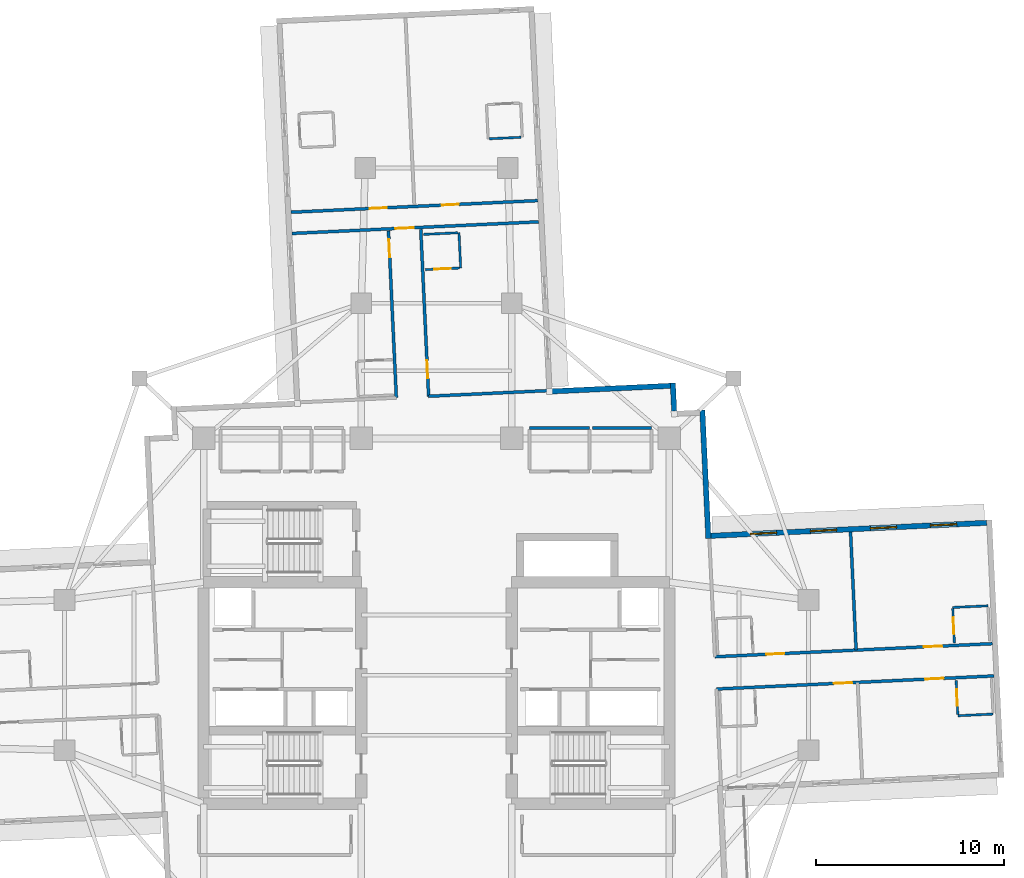
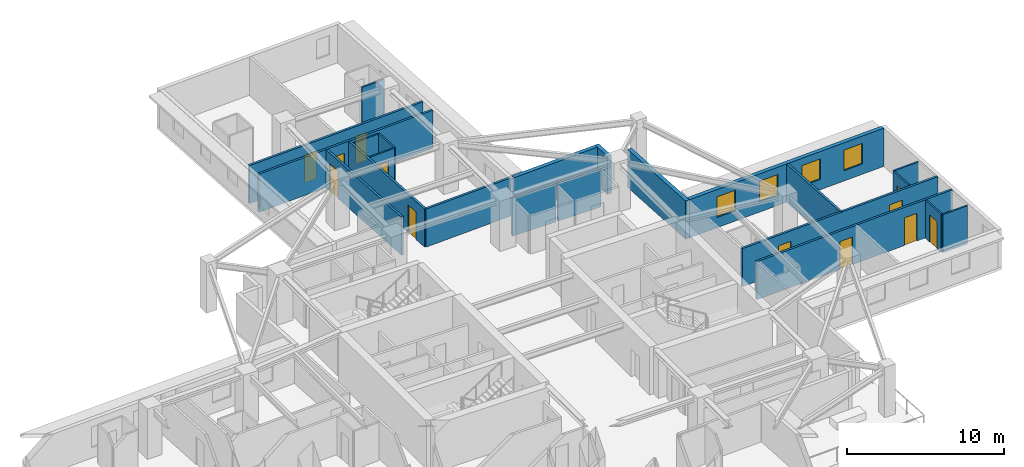
# One storey, part 8 of 14: 22 walls, 12 doors, 4 windows, 16 openings.
"""IFC4 building model written with IfcOpenShell, lengths in metres."""

from ifc_helpers import new_model, si_unit, direction, frame, frame_2d, origin, place, context, subcontext, project, spatial, rectangle, extrude, material, layer, layer_set, type_object, element, fill, save


model = new_model("IFC4")

# Units and contexts
model_context = context("Model", 3, precision=1e-05, world=origin(), true_north=direction((0.0, 1.0)))
body_context = subcontext(model_context, "Body", "Model", "MODEL_VIEW")
ifc_project = project(units=[si_unit("LENGTHUNIT", "METRE"), si_unit("AREAUNIT", "SQUARE_METRE"), si_unit("VOLUMEUNIT", "CUBIC_METRE"), si_unit("PLANEANGLEUNIT", "RADIAN"), si_unit("MASSUNIT", "GRAM", prefix="KILO")], contexts=[model_context])

# Site, building, storey
site_placement = place(None, origin())
site = spatial("IfcSite", under=ifc_project, at=site_placement, CompositionType="ELEMENT")
building_placement = place(site_placement, origin())
building = spatial("IfcBuilding", under=site, at=building_placement, Name="Qingluan Cross Belvedere", CompositionType="ELEMENT")
storey_placement = place(building_placement, frame((0.0, 0.0, 116.39990234375)))
storey = spatial("IfcBuildingStorey", under=building, at=storey_placement, Name="L29", CompositionType="ELEMENT", Elevation=116.39990234375)

# Walls
ifc_material_1 = material(Name="Gypsum plasterboard on steel stud acoustic partition", Category="steel")
ifc_layer_1 = layer(ifc_material_1, 0.159912109375, Name="CorridorPartition_160")
ifc_layer_set_1 = layer_set([ifc_layer_1], Name="Gypsum plasterboard on steel stud acoustic partition")
wall_type_1 = type_object("IfcWallType", Name="CorridorPartition_160", PredefinedType="PARTITIONING", material=ifc_layer_set_1)
wall_1_placement = place(storey_placement, frame((4.949951171875, 13.14990234375, 0.0), z_axis=(0.0, 0.0, 1.0), x_axis=(1.0, 0.0, 0.0)))
element("IfcWall", 1, at=wall_1_placement, inside=storey, type_object=wall_type_1, Name="Partition L29:q_ne1:N", PredefinedType="PARTITIONING", context=body_context, shape_type="SweptSolid", body=[
    extrude(rectangle(XDim=3.199951171875, YDim=0.159912109375, at=frame_2d((1.60009765625, 0.0))), origin(), (0.0, 0.0, 1.0), 2.960205078125),
])
wall_2_placement = place(storey_placement, frame((8.31005859375, 13.14990234375, 0.0), z_axis=(0.0, 0.0, 1.0), x_axis=(1.0, 0.0, 0.0)))
element("IfcWall", 2, at=wall_2_placement, inside=storey, type_object=wall_type_1, Name="Partition L29:q_ne2:N", PredefinedType="PARTITIONING", context=body_context, shape_type="SweptSolid", body=[
    extrude(rectangle(XDim=3.139892578125, YDim=0.159912109375, at=frame_2d((1.56982421875, 0.0))), origin(), (0.0, 0.0, 1.0), 2.960205078125),
])

# Wall, openings, doors
wall_3_placement = place(storey_placement, frame((14.8203125, 0.979248046875, 0.0), z_axis=(0.0, 0.0, 1.0), x_axis=(0.99889000272, 0.04710374153, 0.0)))
wall_3 = element("IfcWall", 3, at=wall_3_placement, inside=storey, type_object=wall_type_1, Name="Partition L29:E:c0", PredefinedType="PARTITIONING", context=body_context, shape_type="SweptSolid", body=[
    extrude(rectangle(XDim=14.781982421875, YDim=0.159912109375, at=frame_2d((7.39111328125, 0.0))), origin(), (0.0, 0.0, 1.0), 2.960205078125),
])
opening_1_placement = place(wall_3_placement, frame((2.73291015625, 0.0, 0.0)))
opening_1 = element("IfcOpeningElement", 4, at=opening_1_placement, cuts=wall_3, Name="Opening GD-10", PredefinedType="OPENING", context=body_context, shape_type="SweptSolid", body=[
    extrude(rectangle(XDim=0.9599609375, YDim=2.14990234375, at=frame_2d((0.47998046875, 1.074951171875))), frame((0.0, 0.08984375, 0.0), z_axis=(0.0, -1.0, 0.0), x_axis=(1.0, 0.0, 0.0)), (0.0, 0.0, 1.0), 0.179931640625),
])
opening_2_placement = place(wall_3_placement, frame((11.14208984375, 0.0, 0.0)))
opening_2 = element("IfcOpeningElement", 5, at=opening_2_placement, cuts=wall_3, Name="Opening GD-10", PredefinedType="OPENING", context=body_context, shape_type="SweptSolid", body=[
    extrude(rectangle(XDim=0.9599609375, YDim=2.14990234375, at=frame_2d((0.47998046875, 1.074951171875))), frame((0.0, 0.08984375, 0.0), z_axis=(0.0, -1.0, 0.0), x_axis=(1.0, 0.0, 0.0)), (0.0, 0.0, 1.0), 0.179931640625),
])
ifc_material_2 = material(Name="Timber oak fire-rated acoustic guestroom door", Category="wood")
door_type_1 = type_object("IfcDoorType", Name="GuestEntryDoor_FD60", OperationType="NOTDEFINED", PredefinedType="DOOR", material=ifc_material_2)
door_1_placement = place(opening_1_placement, origin())
door_1 = element("IfcDoor", 6, at=door_1_placement, inside=storey, type_object=door_type_1, Name="Guest entry fire door 2901", OperationType="SINGLE_SWING_RIGHT", OverallHeight=2.14990234375, OverallWidth=0.9599609375, PredefinedType="DOOR", context=body_context, shape_type="SweptSolid", body=[
    extrude(rectangle(XDim=0.9599609375, YDim=2.14990234375, at=frame_2d((0.47998046875, 1.074951171875))), frame((0.0, 0.02490234375, 0.0), z_axis=(0.0, -1.0, 0.0), x_axis=(1.0, 0.0, 0.0)), (0.0, 0.0, 1.0), 0.050048828125),
])
fill(opening_1, door_1)
door_2_placement = place(opening_2_placement, origin())
door_2 = element("IfcDoor", 7, at=door_2_placement, inside=storey, type_object=door_type_1, Name="Guest entry fire door 2902", OperationType="SINGLE_SWING_RIGHT", OverallHeight=2.14990234375, OverallWidth=0.9599609375, PredefinedType="DOOR", context=body_context, shape_type="SweptSolid", body=[
    extrude(rectangle(XDim=0.9599609375, YDim=2.14990234375, at=frame_2d((0.47998046875, 1.074951171875))), frame((0.0, 0.02490234375, 0.0), z_axis=(0.0, -1.0, 0.0), x_axis=(1.0, 0.0, 0.0)), (0.0, 0.0, 1.0), 0.050048828125),
])
fill(opening_2, door_2)

# Wall
wall_4_placement = place(storey_placement, frame((22.3369140625, 1.333740234375, 0.0), z_axis=(0.0, 0.0, 1.0), x_axis=(-0.047106099844, 0.998889891508, 0.0)))
element("IfcWall", 8, at=wall_4_placement, inside=storey, type_object=wall_type_1, Name="Partition L29:E:d0_0", PredefinedType="PARTITIONING", context=body_context, shape_type="SweptSolid", body=[
    extrude(rectangle(XDim=6.2919921875, YDim=0.159912109375, at=frame_2d((3.14599609375, 0.0))), origin(), (0.0, 0.0, 1.0), 2.960205078125),
])

# Wall, openings, doors
wall_5_placement = place(storey_placement, frame((14.9013671875, -0.739013671875, 0.0), z_axis=(0.0, 0.0, 1.0), x_axis=(0.998889225481, 0.047120220904, 0.0)))
wall_5 = element("IfcWall", 9, at=wall_5_placement, inside=storey, type_object=wall_type_1, Name="Partition L29:E:c1", PredefinedType="PARTITIONING", context=body_context, shape_type="SweptSolid", body=[
    extrude(rectangle(XDim=14.781982421875, YDim=0.159912109375, at=frame_2d((7.39111328125, 0.0))), origin(), (0.0, 0.0, 1.0), 2.960205078125),
])
opening_3_placement = place(wall_5_placement, frame((6.264892578125, 0.0, 0.0)))
opening_3 = element("IfcOpeningElement", 10, at=opening_3_placement, cuts=wall_5, Name="Opening GD-10", PredefinedType="OPENING", context=body_context, shape_type="SweptSolid", body=[
    extrude(rectangle(XDim=0.9599609375, YDim=2.14990234375, at=frame_2d((0.47998046875, 1.074951171875))), frame((0.0, 0.08984375, 0.0), z_axis=(0.0, -1.0, 0.0), x_axis=(1.0, 0.0, 0.0)), (0.0, 0.0, 1.0), 0.179931640625),
])
opening_4_placement = place(wall_5_placement, frame((11.14208984375, 0.0, 0.0)))
opening_4 = element("IfcOpeningElement", 11, at=opening_4_placement, cuts=wall_5, Name="Opening GD-10", PredefinedType="OPENING", context=body_context, shape_type="SweptSolid", body=[
    extrude(rectangle(XDim=0.9599609375, YDim=2.14990234375, at=frame_2d((0.47998046875, 1.074951171875))), frame((0.0, 0.08984375, 0.0), z_axis=(0.0, -1.0, 0.0), x_axis=(1.0, 0.0, 0.0)), (0.0, 0.0, 1.0), 0.179931640625),
])
door_3_placement = place(opening_3_placement, origin())
door_3 = element("IfcDoor", 12, at=door_3_placement, inside=storey, type_object=door_type_1, Name="Guest entry fire door 2903", OperationType="SINGLE_SWING_RIGHT", OverallHeight=2.14990234375, OverallWidth=0.9599609375, PredefinedType="DOOR", context=body_context, shape_type="SweptSolid", body=[
    extrude(rectangle(XDim=0.9599609375, YDim=2.14990234375, at=frame_2d((0.47998046875, 1.074951171875))), frame((0.0, 0.02490234375, 0.0), z_axis=(0.0, -1.0, 0.0), x_axis=(1.0, 0.0, 0.0)), (0.0, 0.0, 1.0), 0.050048828125),
])
fill(opening_3, door_3)
door_4_placement = place(opening_4_placement, origin())
door_4 = element("IfcDoor", 13, at=door_4_placement, inside=storey, type_object=door_type_1, Name="Guest entry fire door 2904", OperationType="SINGLE_SWING_RIGHT", OverallHeight=2.14990234375, OverallWidth=0.9599609375, PredefinedType="DOOR", context=body_context, shape_type="SweptSolid", body=[
    extrude(rectangle(XDim=0.9599609375, YDim=2.14990234375, at=frame_2d((0.47998046875, 1.074951171875))), frame((0.0, 0.02490234375, 0.0), z_axis=(0.0, -1.0, 0.0), x_axis=(1.0, 0.0, 0.0)), (0.0, 0.0, 1.0), 0.050048828125),
])
fill(opening_4, door_4)

# Wall, opening, door
wall_6_placement = place(storey_placement, frame((-0.419921875, 14.8466796875, 0.0), z_axis=(0.0, 0.0, 1.0), x_axis=(-0.047099864025, 0.99889018556, 0.0)))
wall_6 = element("IfcWall", 14, at=wall_6_placement, inside=storey, type_object=wall_type_1, Name="Partition L29:N:c0", PredefinedType="PARTITIONING", context=body_context, shape_type="SweptSolid", body=[
    extrude(rectangle(XDim=8.89990234375, YDim=0.159912109375, at=frame_2d((4.449951171875, 0.0))), origin(), (0.0, 0.0, 1.0), 2.960205078125),
])
opening_5_placement = place(wall_6_placement, frame((0.952880859375, 0.0, 0.0)))
opening_5 = element("IfcOpeningElement", 15, at=opening_5_placement, cuts=wall_6, Name="Opening GD-10", PredefinedType="OPENING", context=body_context, shape_type="SweptSolid", body=[
    extrude(rectangle(XDim=0.9599609375, YDim=2.14990234375, at=frame_2d((0.47998046875, 1.074951171875))), frame((0.0, 0.08984375, 0.0), z_axis=(0.0, -1.0, 0.0), x_axis=(1.0, 0.0, 0.0)), (0.0, 0.0, 1.0), 0.179931640625),
])
door_5_placement = place(opening_5_placement, origin())
door_5 = element("IfcDoor", 16, at=door_5_placement, inside=storey, type_object=door_type_1, Name="Guest entry fire door 2907", OperationType="SINGLE_SWING_RIGHT", OverallHeight=2.14990234375, OverallWidth=0.9599609375, PredefinedType="DOOR", context=body_context, shape_type="SweptSolid", body=[
    extrude(rectangle(XDim=0.9599609375, YDim=2.14990234375, at=frame_2d((0.47998046875, 1.074951171875))), frame((0.0, 0.02490234375, 0.0), z_axis=(0.0, -1.0, 0.0), x_axis=(1.0, 0.0, 0.0)), (0.0, 0.0, 1.0), 0.050048828125),
])
fill(opening_5, door_5)

# Wall
wall_7_placement = place(storey_placement, frame((-0.419921875, 14.8466796875, 0.0), z_axis=(0.0, 0.0, 1.0), x_axis=(0.998889138652, 0.047122061533, 0.0)))
element("IfcWall", 17, at=wall_7_placement, inside=storey, type_object=wall_type_1, Name="Partition L29:N:s0", PredefinedType="PARTITIONING", context=body_context, shape_type="SweptSolid", body=[
    extrude(rectangle(XDim=6.43994140625, YDim=0.159912109375, at=frame_2d((3.219970703125, 0.0))), origin(), (0.0, 0.0, 1.0), 2.960205078125),
])

# Wall, opening, door
wall_8_placement = place(storey_placement, frame((-2.137939453125, 14.765625, 0.0), z_axis=(0.0, 0.0, 1.0), x_axis=(-0.047099864025, 0.99889018556, 0.0)))
wall_8 = element("IfcWall", 18, at=wall_8_placement, inside=storey, type_object=wall_type_1, Name="Partition L29:N:c1", PredefinedType="PARTITIONING", context=body_context, shape_type="SweptSolid", body=[
    extrude(rectangle(XDim=8.89990234375, YDim=0.159912109375, at=frame_2d((4.449951171875, 0.0))), origin(), (0.0, 0.0, 1.0), 2.960205078125),
])
opening_6_placement = place(wall_8_placement, frame((7.5, 0.0, 0.0)))
opening_6 = element("IfcOpeningElement", 19, at=opening_6_placement, cuts=wall_8, Name="Opening GD-10", PredefinedType="OPENING", context=body_context, shape_type="SweptSolid", body=[
    extrude(rectangle(XDim=0.9599609375, YDim=2.14990234375, at=frame_2d((0.47998046875, 1.074951171875))), frame((0.0, 0.08984375, 0.0), z_axis=(0.0, -1.0, 0.0), x_axis=(1.0, 0.0, 0.0)), (0.0, 0.0, 1.0), 0.179931640625),
])
door_6_placement = place(opening_6_placement, origin())
door_6 = element("IfcDoor", 20, at=door_6_placement, inside=storey, type_object=door_type_1, Name="Guest entry fire door 2908", OperationType="SINGLE_SWING_RIGHT", OverallHeight=2.14990234375, OverallWidth=0.9599609375, PredefinedType="DOOR", context=body_context, shape_type="SweptSolid", body=[
    extrude(rectangle(XDim=0.9599609375, YDim=2.14990234375, at=frame_2d((0.47998046875, 1.074951171875))), frame((0.0, 0.02490234375, 0.0), z_axis=(0.0, -1.0, 0.0), x_axis=(1.0, 0.0, 0.0)), (0.0, 0.0, 1.0), 0.050048828125),
])
fill(opening_6, door_6)

wall_9_placement = place(storey_placement, frame((-7.688232421875, 23.513916015625, 0.0), z_axis=(0.0, 0.0, 1.0), x_axis=(0.998889093558, 0.047123017412, 0.0)))
wall_9 = element("IfcWall", 21, at=wall_9_placement, inside=storey, type_object=wall_type_1, Name="Partition L29:Ncap:in", PredefinedType="PARTITIONING", context=body_context, shape_type="SweptSolid", body=[
    extrude(rectangle(XDim=13.14404296875, YDim=0.159912109375, at=frame_2d((6.572021484375, 0.0))), origin(), (0.0, 0.0, 1.0), 2.960205078125),
])
opening_7_placement = place(wall_9_placement, frame((5.511962890625, 0.0, 0.0)))
opening_7 = element("IfcOpeningElement", 22, at=opening_7_placement, cuts=wall_9, Name="Opening GD-10", PredefinedType="OPENING", context=body_context, shape_type="SweptSolid", body=[
    extrude(rectangle(XDim=0.9599609375, YDim=2.14990234375, at=frame_2d((0.47998046875, 1.074951171875))), frame((0.0, 0.08984375, 0.0), z_axis=(0.0, -1.0, 0.0), x_axis=(1.0, 0.0, 0.0)), (0.0, 0.0, 1.0), 0.179931640625),
])
door_7_placement = place(opening_7_placement, origin())
door_7 = element("IfcDoor", 23, at=door_7_placement, inside=storey, type_object=door_type_1, Name="Corner gallery fire door L29N", OperationType="SINGLE_SWING_LEFT", OverallHeight=2.14990234375, OverallWidth=0.9599609375, PredefinedType="DOOR", context=body_context, shape_type="SweptSolid", body=[
    extrude(rectangle(XDim=0.9599609375, YDim=2.14990234375, at=frame_2d((0.47998046875, 1.074951171875))), frame((0.0, 0.02490234375, 0.0), z_axis=(0.0, -1.0, 0.0), x_axis=(1.0, 0.0, 0.0)), (0.0, 0.0, 1.0), 0.050048828125),
])
fill(opening_7, door_7)

# Wall, openings, doors
wall_10_placement = place(storey_placement, frame((-7.741455078125, 24.642578125, 0.0), z_axis=(0.0, 0.0, 1.0), x_axis=(0.998889093558, 0.047123017412, 0.0)))
wall_10 = element("IfcWall", 24, at=wall_10_placement, inside=storey, type_object=wall_type_1, Name="Partition L29:Ncap:vw", PredefinedType="PARTITIONING", context=body_context, shape_type="SweptSolid", body=[
    extrude(rectangle(XDim=13.14404296875, YDim=0.159912109375, at=frame_2d((6.572021484375, 0.0))), origin(), (0.0, 0.0, 1.0), 2.960205078125),
])
opening_8_placement = place(wall_10_placement, frame((4.201904296875, 0.0, 0.0)))
opening_8 = element("IfcOpeningElement", 25, at=opening_8_placement, cuts=wall_10, Name="Opening GD-09", PredefinedType="OPENING", context=body_context, shape_type="SweptSolid", body=[
    extrude(rectangle(XDim=0.89990234375, YDim=2.14990234375, at=frame_2d((0.449951171875, 1.074951171875))), frame((0.0, 0.08984375, 0.0), z_axis=(0.0, -1.0, 0.0), x_axis=(1.0, 0.0, 0.0)), (0.0, 0.0, 1.0), 0.179931640625),
])
opening_9_placement = place(wall_10_placement, frame((8.0419921875, 0.0, 0.0)))
opening_9 = element("IfcOpeningElement", 26, at=opening_9_placement, cuts=wall_10, Name="Opening GD-09", PredefinedType="OPENING", context=body_context, shape_type="SweptSolid", body=[
    extrude(rectangle(XDim=0.89990234375, YDim=2.14990234375, at=frame_2d((0.449951171875, 1.074951171875))), frame((0.0, 0.08984375, 0.0), z_axis=(0.0, -1.0, 0.0), x_axis=(1.0, 0.0, 0.0)), (0.0, 0.0, 1.0), 0.179931640625),
])
ifc_material_3 = material(Name="Timber oak fire-rated corner room door", Category="wood")
door_type_2 = type_object("IfcDoorType", Name="CornerRoomDoor_FD60", OperationType="NOTDEFINED", PredefinedType="DOOR", material=ifc_material_3)
door_8_placement = place(opening_8_placement, origin())
door_8 = element("IfcDoor", 27, at=door_8_placement, inside=storey, type_object=door_type_2, Name="Deluxe corner room door L29N1", OperationType="SINGLE_SWING_RIGHT", OverallHeight=2.14990234375, OverallWidth=0.89990234375, PredefinedType="DOOR", context=body_context, shape_type="SweptSolid", body=[
    extrude(rectangle(XDim=0.89990234375, YDim=2.14990234375, at=frame_2d((0.449951171875, 1.074951171875))), frame((0.0, 0.02490234375, 0.0), z_axis=(0.0, -1.0, 0.0), x_axis=(1.0, 0.0, 0.0)), (0.0, 0.0, 1.0), 0.050048828125),
])
fill(opening_8, door_8)
door_9_placement = place(opening_9_placement, origin())
door_9 = element("IfcDoor", 28, at=door_9_placement, inside=storey, type_object=door_type_2, Name="Deluxe corner room door L29N2", OperationType="SINGLE_SWING_LEFT", OverallHeight=2.14990234375, OverallWidth=0.89990234375, PredefinedType="DOOR", context=body_context, shape_type="SweptSolid", body=[
    extrude(rectangle(XDim=0.89990234375, YDim=2.14990234375, at=frame_2d((0.449951171875, 1.074951171875))), frame((0.0, 0.02490234375, 0.0), z_axis=(0.0, -1.0, 0.0), x_axis=(1.0, 0.0, 0.0)), (0.0, 0.0, 1.0), 0.050048828125),
])
fill(opening_9, door_9)

# Wall, opening, door
ifc_material_4 = material(Name="Moisture-resistant gypsum board lining")
ifc_layer_2 = layer(ifc_material_4, 0.1201171875, Name="EnsuiteWetPartition_120")
ifc_layer_set_2 = layer_set([ifc_layer_2], Name="Moisture-resistant gypsum board lining")
wall_type_2 = type_object("IfcWallType", Name="EnsuiteWetPartition_120", PredefinedType="PARTITIONING", material=ifc_layer_set_2)
wall_11_placement = place(storey_placement, frame((27.569580078125, 1.720703125, 0.0), z_axis=(0.0, 0.0, 1.0), x_axis=(-0.047087116047, 0.998890786574, 0.0)))
wall_11 = element("IfcWall", 29, at=wall_11_placement, inside=storey, type_object=wall_type_2, Name="Partition L29:E:bs0_1", PredefinedType="PARTITIONING", context=body_context, shape_type="SweptSolid", body=[
    extrude(rectangle(XDim=1.81982421875, YDim=0.1201171875, at=frame_2d((0.909912109375, 0.0))), origin(), (0.0, 0.0, 1.0), 2.960205078125),
])
opening_10_placement = place(wall_11_placement, frame((0.469970703125, 0.0, 0.0)))
opening_10 = element("IfcOpeningElement", 30, at=opening_10_placement, cuts=wall_11, Name="Opening BD-09", PredefinedType="OPENING", context=body_context, shape_type="SweptSolid", body=[
    extrude(rectangle(XDim=0.8798828125, YDim=2.10009765625, at=frame_2d((0.43994140625, 1.050048828125))), frame((0.0, 0.070068359375, 0.0), z_axis=(0.0, -1.0, 0.0), x_axis=(1.0, 0.0, 0.0)), (0.0, 0.0, 1.0), 0.14013671875),
])
ifc_material_5 = material(Name="Moisture-sealed timber en-suite door", Category="wood")
door_type_3 = type_object("IfcDoorType", Name="BathroomDoor_880", OperationType="NOTDEFINED", PredefinedType="DOOR", material=ifc_material_5)
door_10_placement = place(opening_10_placement, origin())
door_10 = element("IfcDoor", 31, at=door_10_placement, inside=storey, type_object=door_type_3, Name="Bathroom door 2902", OperationType="SINGLE_SWING_LEFT", OverallHeight=2.10009765625, OverallWidth=0.8798828125, PredefinedType="DOOR", context=body_context, shape_type="SweptSolid", body=[
    extrude(rectangle(XDim=0.8798828125, YDim=2.10009765625, at=frame_2d((0.43994140625, 1.050048828125))), frame((0.0, 0.02490234375, 0.0), z_axis=(0.0, -1.0, 0.0), x_axis=(1.0, 0.0, 0.0)), (0.0, 0.0, 1.0), 0.050048828125),
])
fill(opening_10, door_10)

# Wall
wall_12_placement = place(storey_placement, frame((27.480712890625, 3.603515625, 0.0), z_axis=(0.0, 0.0, 1.0), x_axis=(0.998888319371, 0.047139425368, 0.0)))
element("IfcWall", 32, at=wall_12_placement, inside=storey, type_object=wall_type_2, Name="Partition L29:E:bn0_1", PredefinedType="PARTITIONING", context=body_context, shape_type="SweptSolid", body=[
    extrude(rectangle(XDim=1.880126953125, YDim=0.1201171875, at=frame_2d((0.93994140625, 0.0))), origin(), (0.0, 0.0, 1.0), 2.960205078125),
])

# Wall, opening, door
wall_13_placement = place(storey_placement, frame((27.74951171875, -2.09521484375, 0.0), z_axis=(0.0, 0.0, 1.0), x_axis=(-0.047080807099, 0.998891083954, 0.0)))
wall_13 = element("IfcWall", 33, at=wall_13_placement, inside=storey, type_object=wall_type_2, Name="Partition L29:E:bs1_1", PredefinedType="PARTITIONING", context=body_context, shape_type="SweptSolid", body=[
    extrude(rectangle(XDim=1.820068359375, YDim=0.1201171875, at=frame_2d((0.91015625, 0.0))), origin(), (0.0, 0.0, 1.0), 2.960205078125),
])
opening_11_placement = place(wall_13_placement, frame((0.469970703125, 0.0, 0.0)))
opening_11 = element("IfcOpeningElement", 34, at=opening_11_placement, cuts=wall_13, Name="Opening BD-09", PredefinedType="OPENING", context=body_context, shape_type="SweptSolid", body=[
    extrude(rectangle(XDim=0.8798828125, YDim=2.10009765625, at=frame_2d((0.43994140625, 1.050048828125))), frame((0.0, 0.070068359375, 0.0), z_axis=(0.0, -1.0, 0.0), x_axis=(1.0, 0.0, 0.0)), (0.0, 0.0, 1.0), 0.14013671875),
])
door_11_placement = place(opening_11_placement, origin())
door_11 = element("IfcDoor", 35, at=door_11_placement, inside=storey, type_object=door_type_3, Name="Bathroom door 2904", OperationType="SINGLE_SWING_LEFT", OverallHeight=2.10009765625, OverallWidth=0.8798828125, PredefinedType="DOOR", context=body_context, shape_type="SweptSolid", body=[
    extrude(rectangle(XDim=0.8798828125, YDim=2.10009765625, at=frame_2d((0.43994140625, 1.050048828125))), frame((0.0, 0.02490234375, 0.0), z_axis=(0.0, -1.0, 0.0), x_axis=(1.0, 0.0, 0.0)), (0.0, 0.0, 1.0), 0.050048828125),
])
fill(opening_11, door_11)

# Wall
wall_14_placement = place(storey_placement, frame((27.752685546875, -2.16015625, 0.0), z_axis=(0.0, 0.0, 1.0), x_axis=(0.998888319371, 0.047139425368, 0.0)))
element("IfcWall", 36, at=wall_14_placement, inside=storey, type_object=wall_type_2, Name="Partition L29:E:bc1_1", PredefinedType="PARTITIONING", context=body_context, shape_type="SweptSolid", body=[
    extrude(rectangle(XDim=1.880126953125, YDim=0.1201171875, at=frame_2d((0.93994140625, 0.0))), origin(), (0.0, 0.0, 1.0), 2.960205078125),
])

# Wall, opening, door
wall_15_placement = place(storey_placement, frame((-0.597412109375, 21.585693359375, 0.0), z_axis=(0.0, 0.0, 1.0), x_axis=(0.998884467853, 0.047220968666, 0.0)))
wall_15 = element("IfcWall", 37, at=wall_15_placement, inside=storey, type_object=wall_type_2, Name="Partition L29:N:bs0_0", PredefinedType="PARTITIONING", context=body_context, shape_type="SweptSolid", body=[
    extrude(rectangle(XDim=1.81982421875, YDim=0.1201171875, at=frame_2d((0.909912109375, 0.0))), origin(), (0.0, 0.0, 1.0), 2.960205078125),
])
opening_12_placement = place(wall_15_placement, frame((0.469970703125, 0.0, 0.0)))
opening_12 = element("IfcOpeningElement", 38, at=opening_12_placement, cuts=wall_15, Name="Opening BD-09", PredefinedType="OPENING", context=body_context, shape_type="SweptSolid", body=[
    extrude(rectangle(XDim=0.8798828125, YDim=2.10009765625, at=frame_2d((0.43994140625, 1.050048828125))), frame((0.0, 0.070068359375, 0.0), z_axis=(0.0, -1.0, 0.0), x_axis=(1.0, 0.0, 0.0)), (0.0, 0.0, 1.0), 0.14013671875),
])
door_12_placement = place(opening_12_placement, origin())
door_12 = element("IfcDoor", 39, at=door_12_placement, inside=storey, type_object=door_type_3, Name="Bathroom door 2907", OperationType="SINGLE_SWING_LEFT", OverallHeight=2.10009765625, OverallWidth=0.8798828125, PredefinedType="DOOR", context=body_context, shape_type="SweptSolid", body=[
    extrude(rectangle(XDim=0.8798828125, YDim=2.10009765625, at=frame_2d((0.43994140625, 1.050048828125))), frame((0.0, 0.02490234375, 0.0), z_axis=(0.0, -1.0, 0.0), x_axis=(1.0, 0.0, 0.0)), (0.0, 0.0, 1.0), 0.050048828125),
])
fill(opening_12, door_12)

# Walls
wall_16_placement = place(storey_placement, frame((-0.68603515625, 23.463623046875, 0.0), z_axis=(0.0, 0.0, 1.0), x_axis=(0.998884467853, 0.047220968666, 0.0)))
element("IfcWall", 40, at=wall_16_placement, inside=storey, type_object=wall_type_2, Name="Partition L29:N:bw0_0", PredefinedType="PARTITIONING", context=body_context, shape_type="SweptSolid", body=[
    extrude(rectangle(XDim=1.81982421875, YDim=0.1201171875, at=frame_2d((0.909912109375, 0.0))), origin(), (0.0, 0.0, 1.0), 2.960205078125),
])
wall_17_placement = place(storey_placement, frame((1.285400390625, 21.674560546875, 0.0), z_axis=(0.0, 0.0, 1.0), x_axis=(-0.04700985207, 0.998894425757, 0.0)))
element("IfcWall", 41, at=wall_17_placement, inside=storey, type_object=wall_type_2, Name="Partition L29:N:bn0_0", PredefinedType="PARTITIONING", context=body_context, shape_type="SweptSolid", body=[
    extrude(rectangle(XDim=1.880126953125, YDim=0.1201171875, at=frame_2d((0.93994140625, 0.0))), origin(), (0.0, 0.0, 1.0), 2.960205078125),
])
wall_18_placement = place(storey_placement, frame((2.80810546875, 28.553955078125, 0.0), z_axis=(0.0, 0.0, 1.0), x_axis=(0.998889803826, 0.047107959116, 0.0)))
element("IfcWall", 42, at=wall_18_placement, inside=storey, type_object=wall_type_2, Name="Partition L29:Ncap:b2a", PredefinedType="PARTITIONING", context=body_context, shape_type="SweptSolid", body=[
    extrude(rectangle(XDim=1.699951171875, YDim=0.1201171875, at=frame_2d((0.85009765625, 0.0))), origin(), (0.0, 0.0, 1.0), 2.960205078125),
])

# Wall, openings, windows
ifc_material_6 = material(Name="Precast concrete C45", Category="concrete")
ifc_layer_3 = layer(ifc_material_6, 0.280029296875, Name="PrecastFacadeWall_280")
ifc_layer_set_3 = layer_set([ifc_layer_3], Name="Precast concrete C45")
wall_type_3 = type_object("IfcWallType", Name="PrecastFacadeWall_280", PredefinedType="STANDARD", material=ifc_layer_set_3)
wall_19_placement = place(storey_placement, frame((29.29052734375, 8.10888671875, 0.0), z_axis=(0.0, 0.0, 1.0), x_axis=(-0.998889342735, -0.047117735191, 0.0)))
wall_19 = element("IfcWall", 43, at=wall_19_placement, inside=storey, type_object=wall_type_3, Name="Facade wall L29-EB", PredefinedType="STANDARD", context=body_context, shape_type="SweptSolid", body=[
    extrude(rectangle(XDim=14.699951171875, YDim=0.280029296875, at=frame_2d((7.35009765625, 0.0))), origin(), (0.0, 0.0, 1.0), 2.97021484375),
])
opening_13_placement = place(wall_19_placement, frame((1.60009765625, 0.0, 0.800048828125)))
opening_13 = element("IfcOpeningElement", 44, at=opening_13_placement, cuts=wall_19, Name="Opening W-01", PredefinedType="OPENING", context=body_context, shape_type="SweptSolid", body=[
    extrude(rectangle(XDim=1.39990234375, YDim=1.60009765625, at=frame_2d((0.699951171875, 0.800048828125))), frame((0.0, 0.14990234375, 0.0), z_axis=(0.0, -1.0, 0.0), x_axis=(1.0, 0.0, 0.0)), (0.0, 0.0, 1.0), 0.300048828125),
])
opening_14_placement = place(wall_19_placement, frame((4.800048828125, 0.0, 0.800048828125)))
opening_14 = element("IfcOpeningElement", 45, at=opening_14_placement, cuts=wall_19, Name="Opening W-01", PredefinedType="OPENING", context=body_context, shape_type="SweptSolid", body=[
    extrude(rectangle(XDim=1.39990234375, YDim=1.60009765625, at=frame_2d((0.699951171875, 0.800048828125))), frame((0.0, 0.14990234375, 0.0), z_axis=(0.0, -1.0, 0.0), x_axis=(1.0, 0.0, 0.0)), (0.0, 0.0, 1.0), 0.300048828125),
])
opening_15_placement = place(wall_19_placement, frame((8.0, 0.0, 0.800048828125)))
opening_15 = element("IfcOpeningElement", 46, at=opening_15_placement, cuts=wall_19, Name="Opening W-01", PredefinedType="OPENING", context=body_context, shape_type="SweptSolid", body=[
    extrude(rectangle(XDim=1.39990234375, YDim=1.60009765625, at=frame_2d((0.699951171875, 0.800048828125))), frame((0.0, 0.14990234375, 0.0), z_axis=(0.0, -1.0, 0.0), x_axis=(1.0, 0.0, 0.0)), (0.0, 0.0, 1.0), 0.300048828125),
])
opening_16_placement = place(wall_19_placement, frame((11.199951171875, 0.0, 0.800048828125)))
opening_16 = element("IfcOpeningElement", 47, at=opening_16_placement, cuts=wall_19, Name="Opening W-01", PredefinedType="OPENING", context=body_context, shape_type="SweptSolid", body=[
    extrude(rectangle(XDim=1.39990234375, YDim=1.60009765625, at=frame_2d((0.699951171875, 0.800048828125))), frame((0.0, 0.14990234375, 0.0), z_axis=(0.0, -1.0, 0.0), x_axis=(1.0, 0.0, 0.0)), (0.0, 0.0, 1.0), 0.300048828125),
])
ifc_material_7 = material(Name="Thermally broken triple Low-E glass in aluminium frame", Category="aluminium")
window_type = type_object("IfcWindowType", Name="TriRibbonWin_1400x1600", PartitioningType="SINGLE_PANEL", PredefinedType="WINDOW", material=ifc_material_7)
window_1_placement = place(opening_13_placement, origin())
window_1 = element("IfcWindow", 48, at=window_1_placement, inside=storey, type_object=window_type, Name="Ribbon window L29-EB-1", OverallHeight=1.60009765625, OverallWidth=1.39990234375, PartitioningType="SINGLE_PANEL", PredefinedType="WINDOW", context=body_context, shape_type="SweptSolid", body=[
    extrude(rectangle(XDim=1.39990234375, YDim=1.60009765625, at=frame_2d((0.699951171875, 0.800048828125))), frame((0.0, 0.030029296875, 0.0), z_axis=(0.0, -1.0, 0.0), x_axis=(1.0, 0.0, 0.0)), (0.0, 0.0, 1.0), 0.06005859375),
])
fill(opening_13, window_1)
window_2_placement = place(opening_14_placement, origin())
window_2 = element("IfcWindow", 49, at=window_2_placement, inside=storey, type_object=window_type, Name="Ribbon window L29-EB-2", OverallHeight=1.60009765625, OverallWidth=1.39990234375, PartitioningType="SINGLE_PANEL", PredefinedType="WINDOW", context=body_context, shape_type="SweptSolid", body=[
    extrude(rectangle(XDim=1.39990234375, YDim=1.60009765625, at=frame_2d((0.699951171875, 0.800048828125))), frame((0.0, 0.030029296875, 0.0), z_axis=(0.0, -1.0, 0.0), x_axis=(1.0, 0.0, 0.0)), (0.0, 0.0, 1.0), 0.06005859375),
])
fill(opening_14, window_2)
window_3_placement = place(opening_15_placement, origin())
window_3 = element("IfcWindow", 50, at=window_3_placement, inside=storey, type_object=window_type, Name="Ribbon window L29-EB-3", OverallHeight=1.60009765625, OverallWidth=1.39990234375, PartitioningType="SINGLE_PANEL", PredefinedType="WINDOW", context=body_context, shape_type="SweptSolid", body=[
    extrude(rectangle(XDim=1.39990234375, YDim=1.60009765625, at=frame_2d((0.699951171875, 0.800048828125))), frame((0.0, 0.030029296875, 0.0), z_axis=(0.0, -1.0, 0.0), x_axis=(1.0, 0.0, 0.0)), (0.0, 0.0, 1.0), 0.06005859375),
])
fill(opening_15, window_3)
window_4_placement = place(opening_16_placement, origin())
window_4 = element("IfcWindow", 51, at=window_4_placement, inside=storey, type_object=window_type, Name="Ribbon window L29-EB-4", OverallHeight=1.60009765625, OverallWidth=1.39990234375, PartitioningType="SINGLE_PANEL", PredefinedType="WINDOW", context=body_context, shape_type="SweptSolid", body=[
    extrude(rectangle(XDim=1.39990234375, YDim=1.60009765625, at=frame_2d((0.699951171875, 0.800048828125))), frame((0.0, 0.030029296875, 0.0), z_axis=(0.0, -1.0, 0.0), x_axis=(1.0, 0.0, 0.0)), (0.0, 0.0, 1.0), 0.06005859375),
])
fill(opening_16, window_4)

# Walls
wall_20_placement = place(storey_placement, frame((14.4736328125, 7.27001953125, 0.0), z_axis=(0.0, 0.0, 1.0), x_axis=(-0.04712043756, 0.998889215261, 0.0)))
element("IfcWall", 52, at=wall_20_placement, inside=storey, type_object=wall_type_3, Name="Corner wall L29-NE1", PredefinedType="STANDARD", context=body_context, shape_type="SweptSolid", body=[
    extrude(rectangle(XDim=6.85986328125, YDim=0.280029296875, at=frame_2d((3.429931640625, 0.0))), origin(), (0.0, 0.0, 1.0), 2.97021484375),
])
wall_21_placement = place(storey_placement, frame((12.652099609375, 14.051513671875, 0.0), z_axis=(0.0, 0.0, 1.0), x_axis=(-0.047039284441, 0.99889304018, 0.0)))
element("IfcWall", 53, at=wall_21_placement, inside=storey, type_object=wall_type_3, Name="Corner wall L29-NE3", PredefinedType="STANDARD", context=body_context, shape_type="SweptSolid", body=[
    extrude(rectangle(XDim=1.5, YDim=0.280029296875, at=frame_2d((0.75, 0.0))), origin(), (0.0, 0.0, 1.0), 2.97021484375),
])
wall_22_placement = place(storey_placement, frame((12.4482421875, 15.403564453125, 0.0), z_axis=(0.0, 0.0, 1.0), x_axis=(-0.998889082162, -0.047123258997, 0.0)))
element("IfcWall", 54, at=wall_22_placement, inside=storey, type_object=wall_type_3, Name="Corner wall L29-NE4", PredefinedType="STANDARD", context=body_context, shape_type="SweptSolid", body=[
    extrude(rectangle(XDim=6.300048828125, YDim=0.280029296875, at=frame_2d((3.14990234375, 0.0))), origin(), (0.0, 0.0, 1.0), 2.97021484375),
])

save(model, "model.ifc")
